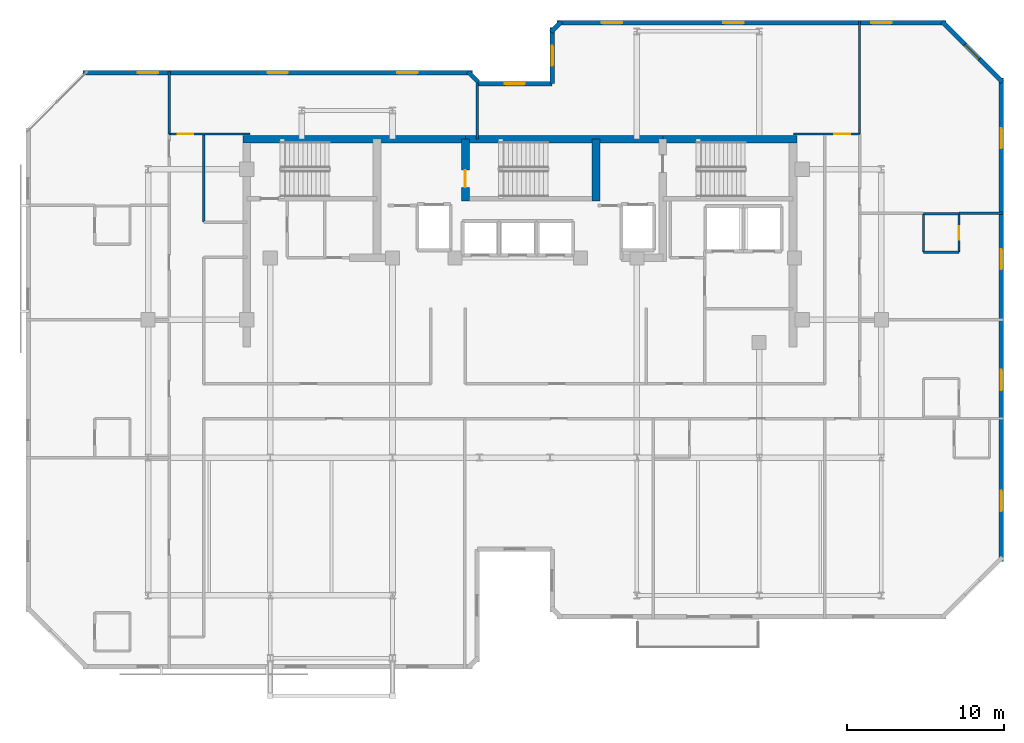
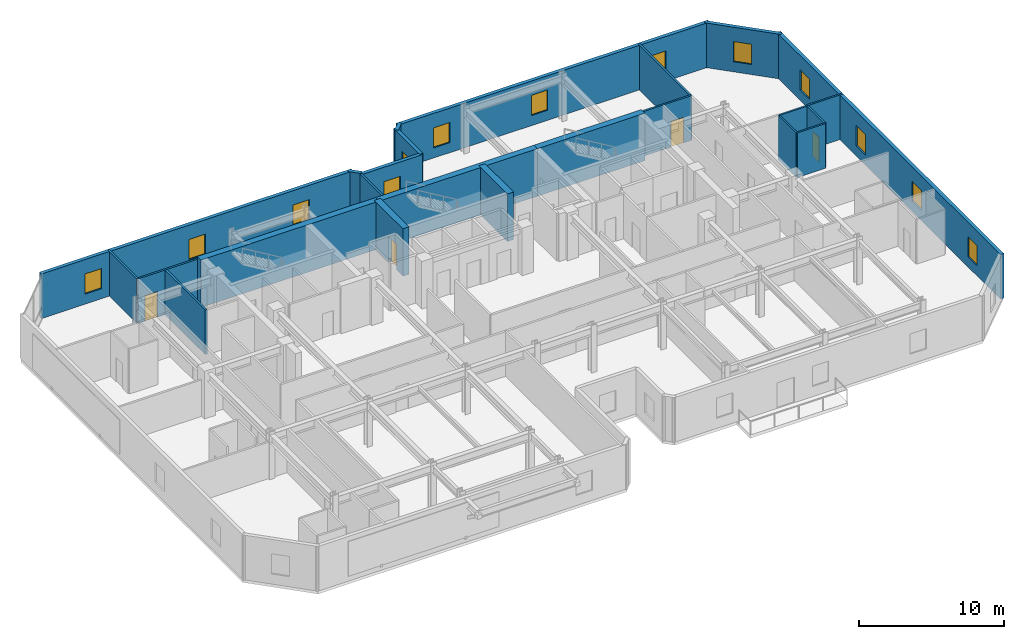
# One storey, part 7 of 10: 24 walls, 13 windows, 4 doors, 17 openings.
"""IFC4 building model written with IfcOpenShell, lengths in metres."""

from ifc_helpers import new_model, si_unit, direction, frame, frame_2d, origin, place, context, subcontext, project, spatial, rectangle, extrude, material, layer, layer_set, type_object, element, fill, save


model = new_model("IFC4")

# Units and contexts
model_context = context("Model", 3, precision=1e-05, world=origin(), true_north=direction((0.0, 1.0)))
body_context = subcontext(model_context, "Body", "Model", "MODEL_VIEW")
ifc_project = project(units=[si_unit("LENGTHUNIT", "METRE"), si_unit("AREAUNIT", "SQUARE_METRE"), si_unit("VOLUMEUNIT", "CUBIC_METRE"), si_unit("PLANEANGLEUNIT", "RADIAN"), si_unit("MASSUNIT", "GRAM", prefix="KILO")], contexts=[model_context])

# Site, building, storey
site_placement = place(None, origin())
site = spatial("IfcSite", under=ifc_project, at=site_placement, CompositionType="ELEMENT")
building_placement = place(site_placement, origin())
building = spatial("IfcBuilding", under=site, at=building_placement, Name="Kestravale Grand Hotel", CompositionType="ELEMENT")
storey_placement = place(building_placement, frame((0.0, 0.0, 269.39990234375)))
storey = spatial("IfcBuildingStorey", under=building, at=storey_placement, Name="L67", CompositionType="ELEMENT", Elevation=269.39990234375)

# Walls
ifc_material_1 = material(Name="Concrete f'c 50 MPa", Category="concrete")
ifc_layer_1 = layer(ifc_material_1, 0.5)
ifc_layer_set_1 = layer_set([ifc_layer_1], Name="EW-CORE-500")
wall_type_1 = type_object("IfcWallType", Name="EW-CORE-500", PredefinedType="SHEAR", material=ifc_layer_set_1)
wall_1_placement = place(storey_placement, frame((21.64990234375, 40.320068359375, 0.0), z_axis=(0.0, 0.0, 1.0), x_axis=(1.0, 0.0, 0.0)))
element("IfcWall", 1, at=wall_1_placement, inside=storey, type_object=wall_type_1, Name="L67 core shear wall N1", PredefinedType="SHEAR", context=body_context, shape_type="SweptSolid", body=[
    extrude(rectangle(XDim=14.2001953125, YDim=0.5, at=frame_2d((7.10009765625, 0.0))), origin(), (0.0, 0.0, 1.0), 4.0),
])
wall_2_placement = place(storey_placement, frame((35.85009765625, 40.320068359375, 0.0), z_axis=(0.0, 0.0, 1.0), x_axis=(1.0, 0.0, 0.0)))
element("IfcWall", 2, at=wall_2_placement, inside=storey, type_object=wall_type_1, Name="L67 core shear wall N2", PredefinedType="SHEAR", context=body_context, shape_type="SweptSolid", body=[
    extrude(rectangle(XDim=12.599853515625, YDim=0.5, at=frame_2d((6.2998046875, 0.0))), origin(), (0.0, 0.0, 1.0), 4.0),
])
wall_3_placement = place(storey_placement, frame((48.449951171875, 40.320068359375, 0.0), z_axis=(0.0, 0.0, 1.0), x_axis=(1.0, 0.0, 0.0)))
element("IfcWall", 3, at=wall_3_placement, inside=storey, type_object=wall_type_1, Name="L67 core shear wall N3", PredefinedType="SHEAR", context=body_context, shape_type="SweptSolid", body=[
    extrude(rectangle(XDim=8.570068359375, YDim=0.5, at=frame_2d((4.28515625, 0.0))), origin(), (0.0, 0.0, 1.0), 4.0),
])

# Wall, opening, door
wall_4_placement = place(storey_placement, frame((35.85009765625, 36.3701171875, 0.0), z_axis=(0.0, 0.0, 1.0), x_axis=(0.0, 1.0, 0.0)))
wall_4 = element("IfcWall", 4, at=wall_4_placement, inside=storey, type_object=wall_type_1, Name="L67 core shear wall X2", PredefinedType="SHEAR", context=body_context, shape_type="SweptSolid", body=[
    extrude(rectangle(XDim=3.949951171875, YDim=0.5, at=frame_2d((1.97509765625, 0.0))), origin(), (0.0, 0.0, 1.0), 4.0),
])
opening_1_placement = place(wall_4_placement, frame((0.8798828125, 0.0, 0.0)))
opening_1 = element("IfcOpeningElement", 5, at=opening_1_placement, cuts=wall_4, Name="Opening D-ST-1100", PredefinedType="OPENING", context=body_context, shape_type="SweptSolid", body=[
    extrude(rectangle(XDim=1.10009765625, YDim=2.14990234375, at=frame_2d((0.550048828125, 1.074951171875))), frame((0.0, 0.260009765625, 0.0), z_axis=(0.0, -1.0, 0.0), x_axis=(1.0, 0.0, 0.0)), (0.0, 0.0, 1.0), 0.52001953125),
])
ifc_material_2 = material(Name="Galvanised 90-minute fire-rated steel stair door", Category="steel")
door_type_1 = type_object("IfcDoorType", Name="D-ST-1100", OperationType="NOTDEFINED", PredefinedType="DOOR", material=ifc_material_2)
door_1_placement = place(opening_1_placement, origin())
door_1 = element("IfcDoor", 6, at=door_1_placement, inside=storey, type_object=door_type_1, Name="L67 Stair ST-2 FSAE fire door", OperationType="SINGLE_SWING_RIGHT", OverallHeight=2.14990234375, OverallWidth=1.10009765625, PredefinedType="DOOR", context=body_context, shape_type="SweptSolid", body=[
    extrude(rectangle(XDim=1.10009765625, YDim=2.14990234375, at=frame_2d((0.550048828125, 1.074951171875))), frame((0.0, 0.02490234375, 0.0), z_axis=(0.0, -1.0, 0.0), x_axis=(1.0, 0.0, 0.0)), (0.0, 0.0, 1.0), 0.050048828125),
])
fill(opening_1, door_1)

# Wall
wall_5_placement = place(storey_placement, frame((44.179931640625, 36.3701171875, 0.0), z_axis=(0.0, 0.0, 1.0), x_axis=(0.0, 1.0, 0.0)))
element("IfcWall", 7, at=wall_5_placement, inside=storey, type_object=wall_type_1, Name="L67 core shear wall X3", PredefinedType="SHEAR", context=body_context, shape_type="SweptSolid", body=[
    extrude(rectangle(XDim=3.949951171875, YDim=0.5, at=frame_2d((1.97509765625, 0.0))), origin(), (0.0, 0.0, 1.0), 4.0),
])

# Wall, openings, windows
ifc_material_3 = material(Name="Precast concrete f'c 45 MPa", Category="concrete")
ifc_layer_2 = layer(ifc_material_3, 0.280029296875)
ifc_layer_set_2 = layer_set([ifc_layer_2], Name="EW-PREC-280")
wall_type_2 = type_object("IfcWallType", Name="EW-PREC-280", PredefinedType="SOLIDWALL", material=ifc_layer_set_2)
wall_6_placement = place(storey_placement, frame((70.06005859375, 13.360107421875, 0.0), z_axis=(0.0, 0.0, 1.0), x_axis=(0.0, 1.0, 0.0)))
wall_6 = element("IfcWall", 8, at=wall_6_placement, inside=storey, type_object=wall_type_2, Name="L67 fluted precast facade wall 9", PredefinedType="SOLIDWALL", context=body_context, shape_type="SweptSolid", body=[
    extrude(rectangle(XDim=30.8798828125, YDim=0.280029296875, at=frame_2d((15.43994140625, 0.0))), origin(), (0.0, 0.0, 1.0), 3.760009765625),
])
opening_2_placement = place(wall_6_placement, frame((3.2099609375, 0.0, 0.85009765625)))
opening_2 = element("IfcOpeningElement", 9, at=opening_2_placement, cuts=wall_6, Name="Opening W-GUEST-1300", PredefinedType="OPENING", context=body_context, shape_type="SweptSolid", body=[
    extrude(rectangle(XDim=1.300048828125, YDim=1.699951171875, at=frame_2d((0.64990234375, 0.85009765625))), frame((0.0, 0.14990234375, 0.0), z_axis=(0.0, -1.0, 0.0), x_axis=(1.0, 0.0, 0.0)), (0.0, 0.0, 1.0), 0.300048828125),
])
opening_3_placement = place(wall_6_placement, frame((10.929931640625, 0.0, 0.85009765625)))
opening_3 = element("IfcOpeningElement", 10, at=opening_3_placement, cuts=wall_6, Name="Opening W-GUEST-1300", PredefinedType="OPENING", context=body_context, shape_type="SweptSolid", body=[
    extrude(rectangle(XDim=1.300048828125, YDim=1.699951171875, at=frame_2d((0.64990234375, 0.85009765625))), frame((0.0, 0.14990234375, 0.0), z_axis=(0.0, -1.0, 0.0), x_axis=(1.0, 0.0, 0.0)), (0.0, 0.0, 1.0), 0.300048828125),
])
opening_4_placement = place(wall_6_placement, frame((18.64990234375, 0.0, 0.85009765625)))
opening_4 = element("IfcOpeningElement", 11, at=opening_4_placement, cuts=wall_6, Name="Opening W-GUEST-1300", PredefinedType="OPENING", context=body_context, shape_type="SweptSolid", body=[
    extrude(rectangle(XDim=1.300048828125, YDim=1.699951171875, at=frame_2d((0.64990234375, 0.85009765625))), frame((0.0, 0.14990234375, 0.0), z_axis=(0.0, -1.0, 0.0), x_axis=(1.0, 0.0, 0.0)), (0.0, 0.0, 1.0), 0.300048828125),
])
opening_5_placement = place(wall_6_placement, frame((26.3701171875, 0.0, 0.85009765625)))
opening_5 = element("IfcOpeningElement", 12, at=opening_5_placement, cuts=wall_6, Name="Opening W-GUEST-1300", PredefinedType="OPENING", context=body_context, shape_type="SweptSolid", body=[
    extrude(rectangle(XDim=1.300048828125, YDim=1.699951171875, at=frame_2d((0.64990234375, 0.85009765625))), frame((0.0, 0.14990234375, 0.0), z_axis=(0.0, -1.0, 0.0), x_axis=(1.0, 0.0, 0.0)), (0.0, 0.0, 1.0), 0.300048828125),
])
ifc_material_4 = material(Name="Insulated low-E double glazing in aluminium frame", Category="aluminium")
window_type = type_object("IfcWindowType", Name="W-GUEST-1300", PartitioningType="SINGLE_PANEL", PredefinedType="WINDOW", material=ifc_material_4)
window_1_placement = place(opening_2_placement, origin())
window_1 = element("IfcWindow", 13, at=window_1_placement, inside=storey, type_object=window_type, Name="L67 exterior window 9.1", OverallHeight=1.699951171875, OverallWidth=1.300048828125, PartitioningType="SINGLE_PANEL", PredefinedType="WINDOW", context=body_context, shape_type="SweptSolid", body=[
    extrude(rectangle(XDim=1.300048828125, YDim=1.699951171875, at=frame_2d((0.64990234375, 0.85009765625))), frame((0.0, 0.030029296875, 0.0), z_axis=(0.0, -1.0, 0.0), x_axis=(1.0, 0.0, 0.0)), (0.0, 0.0, 1.0), 0.06005859375),
])
fill(opening_2, window_1)
window_2_placement = place(opening_3_placement, origin())
window_2 = element("IfcWindow", 14, at=window_2_placement, inside=storey, type_object=window_type, Name="L67 exterior window 9.2", OverallHeight=1.699951171875, OverallWidth=1.300048828125, PartitioningType="SINGLE_PANEL", PredefinedType="WINDOW", context=body_context, shape_type="SweptSolid", body=[
    extrude(rectangle(XDim=1.300048828125, YDim=1.699951171875, at=frame_2d((0.64990234375, 0.85009765625))), frame((0.0, 0.030029296875, 0.0), z_axis=(0.0, -1.0, 0.0), x_axis=(1.0, 0.0, 0.0)), (0.0, 0.0, 1.0), 0.06005859375),
])
fill(opening_3, window_2)
window_3_placement = place(opening_4_placement, origin())
window_3 = element("IfcWindow", 15, at=window_3_placement, inside=storey, type_object=window_type, Name="L67 exterior window 9.3", OverallHeight=1.699951171875, OverallWidth=1.300048828125, PartitioningType="SINGLE_PANEL", PredefinedType="WINDOW", context=body_context, shape_type="SweptSolid", body=[
    extrude(rectangle(XDim=1.300048828125, YDim=1.699951171875, at=frame_2d((0.64990234375, 0.85009765625))), frame((0.0, 0.030029296875, 0.0), z_axis=(0.0, -1.0, 0.0), x_axis=(1.0, 0.0, 0.0)), (0.0, 0.0, 1.0), 0.06005859375),
])
fill(opening_4, window_3)
window_4_placement = place(opening_5_placement, origin())
window_4 = element("IfcWindow", 16, at=window_4_placement, inside=storey, type_object=window_type, Name="L67 exterior window 9.4", OverallHeight=1.699951171875, OverallWidth=1.300048828125, PartitioningType="SINGLE_PANEL", PredefinedType="WINDOW", context=body_context, shape_type="SweptSolid", body=[
    extrude(rectangle(XDim=1.300048828125, YDim=1.699951171875, at=frame_2d((0.64990234375, 0.85009765625))), frame((0.0, 0.030029296875, 0.0), z_axis=(0.0, -1.0, 0.0), x_axis=(1.0, 0.0, 0.0)), (0.0, 0.0, 1.0), 0.06005859375),
])
fill(opening_5, window_4)

# Wall, opening, window
wall_7_placement = place(storey_placement, frame((70.12939453125, 43.97265625, 0.0), z_axis=(0.0, 0.0, 1.0), x_axis=(-0.707106781187, 0.707106781187, 0.0)))
wall_7 = element("IfcWall", 17, at=wall_7_placement, inside=storey, type_object=wall_type_2, Name="L67 fluted precast facade wall 10", PredefinedType="SOLIDWALL", context=body_context, shape_type="SweptSolid", body=[
    extrude(rectangle(XDim=5.4541015625, YDim=0.280029296875, at=frame_2d((2.72705078125, 0.0))), origin(), (0.0, 0.0, 1.0), 3.760009765625),
])
opening_6_placement = place(wall_7_placement, frame((2.076904296875, 0.0, 0.85009765625)))
opening_6 = element("IfcOpeningElement", 18, at=opening_6_placement, cuts=wall_7, Name="Opening W-GUEST-1300", PredefinedType="OPENING", context=body_context, shape_type="SweptSolid", body=[
    extrude(rectangle(XDim=1.300048828125, YDim=1.699951171875, at=frame_2d((0.64990234375, 0.85009765625))), frame((0.0, 0.14990234375, 0.0), z_axis=(0.0, -1.0, 0.0), x_axis=(1.0, 0.0, 0.0)), (0.0, 0.0, 1.0), 0.300048828125),
])
window_5_placement = place(opening_6_placement, origin())
window_5 = element("IfcWindow", 19, at=window_5_placement, inside=storey, type_object=window_type, Name="L67 exterior window 10.1", OverallHeight=1.699951171875, OverallWidth=1.300048828125, PartitioningType="SINGLE_PANEL", PredefinedType="WINDOW", context=body_context, shape_type="SweptSolid", body=[
    extrude(rectangle(XDim=1.300048828125, YDim=1.699951171875, at=frame_2d((0.64990234375, 0.85009765625))), frame((0.0, 0.030029296875, 0.0), z_axis=(0.0, -1.0, 0.0), x_axis=(1.0, 0.0, 0.0)), (0.0, 0.0, 1.0), 0.06005859375),
])
fill(opening_6, window_5)

# Wall, openings, windows
wall_8_placement = place(storey_placement, frame((66.5400390625, 47.760009765625, 0.0), z_axis=(0.0, 0.0, 1.0), x_axis=(-1.0, 0.0, 0.0)))
wall_8 = element("IfcWall", 20, at=wall_8_placement, inside=storey, type_object=wall_type_2, Name="L67 fluted precast facade wall 11", PredefinedType="SOLIDWALL", context=body_context, shape_type="SweptSolid", body=[
    extrude(rectangle(XDim=24.830078125, YDim=0.280029296875, at=frame_2d((12.4150390625, 0.0))), origin(), (0.0, 0.0, 1.0), 3.760009765625),
])
opening_7_placement = place(wall_8_placement, frame((3.48828125, 0.0, 0.85009765625)))
opening_7 = element("IfcOpeningElement", 21, at=opening_7_placement, cuts=wall_8, Name="Opening W-GUEST-1300", PredefinedType="OPENING", context=body_context, shape_type="SweptSolid", body=[
    extrude(rectangle(XDim=1.300048828125, YDim=1.699951171875, at=frame_2d((0.64990234375, 0.85009765625))), frame((0.0, 0.14990234375, 0.0), z_axis=(0.0, -1.0, 0.0), x_axis=(1.0, 0.0, 0.0)), (0.0, 0.0, 1.0), 0.300048828125),
])
opening_8_placement = place(wall_8_placement, frame((12.9150390625, 0.0, 0.85009765625)))
opening_8 = element("IfcOpeningElement", 22, at=opening_8_placement, cuts=wall_8, Name="Opening W-GUEST-1300", PredefinedType="OPENING", context=body_context, shape_type="SweptSolid", body=[
    extrude(rectangle(XDim=1.300048828125, YDim=1.699951171875, at=frame_2d((0.64990234375, 0.85009765625))), frame((0.0, 0.14990234375, 0.0), z_axis=(0.0, -1.0, 0.0), x_axis=(1.0, 0.0, 0.0)), (0.0, 0.0, 1.0), 0.300048828125),
])
opening_9_placement = place(wall_8_placement, frame((20.691650390625, 0.0, 0.85009765625)))
opening_9 = element("IfcOpeningElement", 23, at=opening_9_placement, cuts=wall_8, Name="Opening W-GUEST-1300", PredefinedType="OPENING", context=body_context, shape_type="SweptSolid", body=[
    extrude(rectangle(XDim=1.300048828125, YDim=1.699951171875, at=frame_2d((0.64990234375, 0.85009765625))), frame((0.0, 0.14990234375, 0.0), z_axis=(0.0, -1.0, 0.0), x_axis=(1.0, 0.0, 0.0)), (0.0, 0.0, 1.0), 0.300048828125),
])
window_6_placement = place(opening_7_placement, origin())
window_6 = element("IfcWindow", 24, at=window_6_placement, inside=storey, type_object=window_type, Name="L67 exterior window 11.1", OverallHeight=1.699951171875, OverallWidth=1.300048828125, PartitioningType="SINGLE_PANEL", PredefinedType="WINDOW", context=body_context, shape_type="SweptSolid", body=[
    extrude(rectangle(XDim=1.300048828125, YDim=1.699951171875, at=frame_2d((0.64990234375, 0.85009765625))), frame((0.0, 0.030029296875, 0.0), z_axis=(0.0, -1.0, 0.0), x_axis=(1.0, 0.0, 0.0)), (0.0, 0.0, 1.0), 0.06005859375),
])
fill(opening_7, window_6)
window_7_placement = place(opening_8_placement, origin())
window_7 = element("IfcWindow", 25, at=window_7_placement, inside=storey, type_object=window_type, Name="L67 exterior window 11.2", OverallHeight=1.699951171875, OverallWidth=1.300048828125, PartitioningType="SINGLE_PANEL", PredefinedType="WINDOW", context=body_context, shape_type="SweptSolid", body=[
    extrude(rectangle(XDim=1.300048828125, YDim=1.699951171875, at=frame_2d((0.64990234375, 0.85009765625))), frame((0.0, 0.030029296875, 0.0), z_axis=(0.0, -1.0, 0.0), x_axis=(1.0, 0.0, 0.0)), (0.0, 0.0, 1.0), 0.06005859375),
])
fill(opening_8, window_7)
window_8_placement = place(opening_9_placement, origin())
window_8 = element("IfcWindow", 26, at=window_8_placement, inside=storey, type_object=window_type, Name="L67 exterior window 11.3", OverallHeight=1.699951171875, OverallWidth=1.300048828125, PartitioningType="SINGLE_PANEL", PredefinedType="WINDOW", context=body_context, shape_type="SweptSolid", body=[
    extrude(rectangle(XDim=1.300048828125, YDim=1.699951171875, at=frame_2d((0.64990234375, 0.85009765625))), frame((0.0, 0.030029296875, 0.0), z_axis=(0.0, -1.0, 0.0), x_axis=(1.0, 0.0, 0.0)), (0.0, 0.0, 1.0), 0.06005859375),
])
fill(opening_9, window_8)

# Wall
wall_9_placement = place(storey_placement, frame((41.977294921875, 47.829345703125, 0.0), z_axis=(0.0, 0.0, 1.0), x_axis=(-0.706975312048, -0.707238225886, 0.0)))
element("IfcWall", 27, at=wall_9_placement, inside=storey, type_object=wall_type_2, Name="L67 fluted precast facade wall 12", PredefinedType="SOLIDWALL", context=body_context, shape_type="SweptSolid", body=[
    extrude(rectangle(XDim=0.9287109375, YDim=0.280029296875, at=frame_2d((0.46435546875, 0.0))), origin(), (0.0, 0.0, 1.0), 3.760009765625),
])

# Wall, opening, window
wall_10_placement = place(storey_placement, frame((41.389892578125, 47.43994140625, 0.0), z_axis=(0.0, 0.0, 1.0), x_axis=(0.0, -1.0, 0.0)))
wall_10 = element("IfcWall", 28, at=wall_10_placement, inside=storey, type_object=wall_type_2, Name="L67 fluted precast facade wall 13", PredefinedType="SOLIDWALL", context=body_context, shape_type="SweptSolid", body=[
    extrude(rectangle(XDim=3.579833984375, YDim=0.280029296875, at=frame_2d((1.7900390625, 0.0))), origin(), (0.0, 0.0, 1.0), 3.760009765625),
])
opening_10_placement = place(wall_10_placement, frame((1.139892578125, 0.0, 0.85009765625)))
opening_10 = element("IfcOpeningElement", 29, at=opening_10_placement, cuts=wall_10, Name="Opening W-GUEST-1300", PredefinedType="OPENING", context=body_context, shape_type="SweptSolid", body=[
    extrude(rectangle(XDim=1.300048828125, YDim=1.699951171875, at=frame_2d((0.64990234375, 0.85009765625))), frame((0.0, 0.14990234375, 0.0), z_axis=(0.0, -1.0, 0.0), x_axis=(1.0, 0.0, 0.0)), (0.0, 0.0, 1.0), 0.300048828125),
])
window_9_placement = place(opening_10_placement, origin())
window_9 = element("IfcWindow", 30, at=window_9_placement, inside=storey, type_object=window_type, Name="L67 exterior window 13.1", OverallHeight=1.699951171875, OverallWidth=1.300048828125, PartitioningType="SINGLE_PANEL", PredefinedType="WINDOW", context=body_context, shape_type="SweptSolid", body=[
    extrude(rectangle(XDim=1.300048828125, YDim=1.699951171875, at=frame_2d((0.64990234375, 0.85009765625))), frame((0.0, 0.030029296875, 0.0), z_axis=(0.0, -1.0, 0.0), x_axis=(1.0, 0.0, 0.0)), (0.0, 0.0, 1.0), 0.06005859375),
])
fill(opening_10, window_9)

wall_11_placement = place(storey_placement, frame((41.389892578125, 43.860107421875, 0.0), z_axis=(0.0, 0.0, 1.0), x_axis=(-1.0, 0.0, 0.0)))
wall_11 = element("IfcWall", 31, at=wall_11_placement, inside=storey, type_object=wall_type_2, Name="L67 fluted precast facade wall 14", PredefinedType="SOLIDWALL", context=body_context, shape_type="SweptSolid", body=[
    extrude(rectangle(XDim=4.77978515625, YDim=0.280029296875, at=frame_2d((2.389892578125, 0.0))), origin(), (0.0, 0.0, 1.0), 3.760009765625),
])
opening_11_placement = place(wall_11_placement, frame((1.739990234375, 0.0, 0.85009765625)))
opening_11 = element("IfcOpeningElement", 32, at=opening_11_placement, cuts=wall_11, Name="Opening W-GUEST-1300", PredefinedType="OPENING", context=body_context, shape_type="SweptSolid", body=[
    extrude(rectangle(XDim=1.300048828125, YDim=1.699951171875, at=frame_2d((0.64990234375, 0.85009765625))), frame((0.0, 0.14990234375, 0.0), z_axis=(0.0, -1.0, 0.0), x_axis=(1.0, 0.0, 0.0)), (0.0, 0.0, 1.0), 0.300048828125),
])
window_10_placement = place(opening_11_placement, origin())
window_10 = element("IfcWindow", 33, at=window_10_placement, inside=storey, type_object=window_type, Name="L67 exterior window 14.1", OverallHeight=1.699951171875, OverallWidth=1.300048828125, PartitioningType="SINGLE_PANEL", PredefinedType="WINDOW", context=body_context, shape_type="SweptSolid", body=[
    extrude(rectangle(XDim=1.300048828125, YDim=1.699951171875, at=frame_2d((0.64990234375, 0.85009765625))), frame((0.0, 0.030029296875, 0.0), z_axis=(0.0, -1.0, 0.0), x_axis=(1.0, 0.0, 0.0)), (0.0, 0.0, 1.0), 0.06005859375),
])
fill(opening_11, window_10)

# Wall
wall_12_placement = place(storey_placement, frame((36.67919921875, 43.97265625, 0.0), z_axis=(0.0, 0.0, 1.0), x_axis=(-0.706975312048, 0.707238225886, 0.0)))
element("IfcWall", 34, at=wall_12_placement, inside=storey, type_object=wall_type_2, Name="L67 fluted precast facade wall 16", PredefinedType="SOLIDWALL", context=body_context, shape_type="SweptSolid", body=[
    extrude(rectangle(XDim=0.9287109375, YDim=0.280029296875, at=frame_2d((0.46435546875, 0.0))), origin(), (0.0, 0.0, 1.0), 3.760009765625),
])

# Wall, openings, windows
wall_13_placement = place(storey_placement, frame((36.2900390625, 44.56005859375, 0.0), z_axis=(0.0, 0.0, 1.0), x_axis=(-1.0, 0.0, 0.0)))
wall_13 = element("IfcWall", 35, at=wall_13_placement, inside=storey, type_object=wall_type_2, Name="L67 fluted precast facade wall 17", PredefinedType="SOLIDWALL", context=body_context, shape_type="SweptSolid", body=[
    extrude(rectangle(XDim=24.830078125, YDim=0.280029296875, at=frame_2d((12.4150390625, 0.0))), origin(), (0.0, 0.0, 1.0), 3.760009765625),
])
opening_12_placement = place(wall_13_placement, frame((3.48828125, 0.0, 0.85009765625)))
opening_12 = element("IfcOpeningElement", 36, at=opening_12_placement, cuts=wall_13, Name="Opening W-GUEST-1300", PredefinedType="OPENING", context=body_context, shape_type="SweptSolid", body=[
    extrude(rectangle(XDim=1.300048828125, YDim=1.699951171875, at=frame_2d((0.64990234375, 0.85009765625))), frame((0.0, 0.14990234375, 0.0), z_axis=(0.0, -1.0, 0.0), x_axis=(1.0, 0.0, 0.0)), (0.0, 0.0, 1.0), 0.300048828125),
])
opening_13_placement = place(wall_13_placement, frame((11.764892578125, 0.0, 0.85009765625)))
opening_13 = element("IfcOpeningElement", 37, at=opening_13_placement, cuts=wall_13, Name="Opening W-GUEST-1300", PredefinedType="OPENING", context=body_context, shape_type="SweptSolid", body=[
    extrude(rectangle(XDim=1.300048828125, YDim=1.699951171875, at=frame_2d((0.64990234375, 0.85009765625))), frame((0.0, 0.14990234375, 0.0), z_axis=(0.0, -1.0, 0.0), x_axis=(1.0, 0.0, 0.0)), (0.0, 0.0, 1.0), 0.300048828125),
])
opening_14_placement = place(wall_13_placement, frame((20.041748046875, 0.0, 0.85009765625)))
opening_14 = element("IfcOpeningElement", 38, at=opening_14_placement, cuts=wall_13, Name="Opening W-GUEST-1300", PredefinedType="OPENING", context=body_context, shape_type="SweptSolid", body=[
    extrude(rectangle(XDim=1.300048828125, YDim=1.699951171875, at=frame_2d((0.64990234375, 0.85009765625))), frame((0.0, 0.14990234375, 0.0), z_axis=(0.0, -1.0, 0.0), x_axis=(1.0, 0.0, 0.0)), (0.0, 0.0, 1.0), 0.300048828125),
])
window_11_placement = place(opening_12_placement, origin())
window_11 = element("IfcWindow", 39, at=window_11_placement, inside=storey, type_object=window_type, Name="L67 exterior window 17.1", OverallHeight=1.699951171875, OverallWidth=1.300048828125, PartitioningType="SINGLE_PANEL", PredefinedType="WINDOW", context=body_context, shape_type="SweptSolid", body=[
    extrude(rectangle(XDim=1.300048828125, YDim=1.699951171875, at=frame_2d((0.64990234375, 0.85009765625))), frame((0.0, 0.030029296875, 0.0), z_axis=(0.0, -1.0, 0.0), x_axis=(1.0, 0.0, 0.0)), (0.0, 0.0, 1.0), 0.06005859375),
])
fill(opening_12, window_11)
window_12_placement = place(opening_13_placement, origin())
window_12 = element("IfcWindow", 40, at=window_12_placement, inside=storey, type_object=window_type, Name="L67 exterior window 17.2", OverallHeight=1.699951171875, OverallWidth=1.300048828125, PartitioningType="SINGLE_PANEL", PredefinedType="WINDOW", context=body_context, shape_type="SweptSolid", body=[
    extrude(rectangle(XDim=1.300048828125, YDim=1.699951171875, at=frame_2d((0.64990234375, 0.85009765625))), frame((0.0, 0.030029296875, 0.0), z_axis=(0.0, -1.0, 0.0), x_axis=(1.0, 0.0, 0.0)), (0.0, 0.0, 1.0), 0.06005859375),
])
fill(opening_13, window_12)
window_13_placement = place(opening_14_placement, origin())
window_13 = element("IfcWindow", 41, at=window_13_placement, inside=storey, type_object=window_type, Name="L67 exterior window 17.3", OverallHeight=1.699951171875, OverallWidth=1.300048828125, PartitioningType="SINGLE_PANEL", PredefinedType="WINDOW", context=body_context, shape_type="SweptSolid", body=[
    extrude(rectangle(XDim=1.300048828125, YDim=1.699951171875, at=frame_2d((0.64990234375, 0.85009765625))), frame((0.0, 0.030029296875, 0.0), z_axis=(0.0, -1.0, 0.0), x_axis=(1.0, 0.0, 0.0)), (0.0, 0.0, 1.0), 0.06005859375),
])
fill(opening_14, window_13)

# Walls
ifc_material_5 = material(Name="Acoustic fire-rated gypsum board partition", Category="other")
ifc_layer_3 = layer(ifc_material_5, 0.159912109375)
ifc_layer_set_3 = layer_set([ifc_layer_3], Name="IW-CORR-160")
wall_type_3 = type_object("IfcWallType", Name="IW-CORR-160", PredefinedType="PARTITIONING", material=ifc_layer_set_3)
wall_14_placement = place(storey_placement, frame((19.159912109375, 35.02001953125, 0.0), z_axis=(0.0, 0.0, 1.0), x_axis=(0.0, 1.0, 0.0)))
element("IfcWall", 42, at=wall_14_placement, inside=storey, type_object=wall_type_3, Name="W-L67-SW-EN", PredefinedType="PARTITIONING", context=body_context, shape_type="SweptSolid", body=[
    extrude(rectangle(XDim=5.6298828125, YDim=0.159912109375, at=frame_2d((2.81494140625, 0.0))), origin(), (0.0, 0.0, 1.0), 3.760009765625),
])
ifc_material_6 = material(Name="Moisture-resistant tile-backer plumbing chase wall", Category="other")
ifc_layer_4 = layer(ifc_material_6, 0.139892578125)
ifc_layer_set_4 = layer_set([ifc_layer_4], Name="IW-PLB-140")
wall_type_4 = type_object("IfcWallType", Name="IW-PLB-140", PredefinedType="PLUMBINGWALL", material=ifc_layer_set_4)
wall_15_placement = place(storey_placement, frame((65.10009765625, 33.110107421875, 0.0), z_axis=(0.0, 0.0, 1.0), x_axis=(0.0, 1.0, 0.0)))
element("IfcWall", 43, at=wall_15_placement, inside=storey, type_object=wall_type_4, Name="W-L67-U07-BW", PredefinedType="PLUMBINGWALL", context=body_context, shape_type="SweptSolid", body=[
    extrude(rectangle(XDim=2.449951171875, YDim=0.139892578125, at=frame_2d((1.22509765625, 0.0))), origin(), (0.0, 0.0, 1.0), 3.760009765625),
])

# Wall, opening, door
wall_16_placement = place(storey_placement, frame((67.35009765625, 33.110107421875, 0.0), z_axis=(0.0, 0.0, 1.0), x_axis=(0.0, 1.0, 0.0)))
wall_16 = element("IfcWall", 44, at=wall_16_placement, inside=storey, type_object=wall_type_4, Name="W-L67-U07-BE", PredefinedType="PLUMBINGWALL", context=body_context, shape_type="SweptSolid", body=[
    extrude(rectangle(XDim=2.449951171875, YDim=0.139892578125, at=frame_2d((1.22509765625, 0.0))), origin(), (0.0, 0.0, 1.0), 3.760009765625),
])
opening_15_placement = place(wall_16_placement, frame((0.784912109375, 0.0, 0.0)))
opening_15 = element("IfcOpeningElement", 45, at=opening_15_placement, cuts=wall_16, Name="Opening D-BATH-880", PredefinedType="OPENING", context=body_context, shape_type="SweptSolid", body=[
    extrude(rectangle(XDim=0.8798828125, YDim=2.050048828125, at=frame_2d((0.43994140625, 1.02490234375))), frame((0.0, 0.079833984375, 0.0), z_axis=(0.0, -1.0, 0.0), x_axis=(1.0, 0.0, 0.0)), (0.0, 0.0, 1.0), 0.159912109375),
])
ifc_material_7 = material(Name="Moisture-sealed walnut en-suite bathroom door", Category="wood")
door_type_2 = type_object("IfcDoorType", Name="D-BATH-880", OperationType="NOTDEFINED", PredefinedType="DOOR", material=ifc_material_7)
door_2_placement = place(opening_15_placement, origin())
door_2 = element("IfcDoor", 46, at=door_2_placement, inside=storey, type_object=door_type_2, Name="D-L67-U07-BATH", OperationType="SINGLE_SWING_LEFT", OverallHeight=2.050048828125, OverallWidth=0.8798828125, PredefinedType="DOOR", context=body_context, shape_type="SweptSolid", body=[
    extrude(rectangle(XDim=0.8798828125, YDim=2.050048828125, at=frame_2d((0.43994140625, 1.02490234375))), frame((0.0, 0.02490234375, 0.0), z_axis=(0.0, -1.0, 0.0), x_axis=(1.0, 0.0, 0.0)), (0.0, 0.0, 1.0), 0.050048828125),
])
fill(opening_15, door_2)

# Walls
for number, where, z_axis, x_axis, name in (
    (47, (65.10009765625, 33.110107421875, 0.0), (0.0, 0.0, 1.0), (1.0, 0.0, 0.0), "W-L67-U07-BS"),
    (48, (65.10009765625, 35.56005859375, 0.0), (0.0, 0.0, 1.0), (1.0, 0.0, 0.0), "W-L67-U07-BN"),
):
    element("IfcWall", number, at=place(storey_placement, frame(where, z_axis=z_axis, x_axis=x_axis)), inside=storey, type_object=wall_type_4, Name=name, PredefinedType="PLUMBINGWALL", context=body_context, shape_type="SweptSolid", body=[
        extrude(rectangle(XDim=2.25, YDim=0.139892578125, at=frame_2d((1.125, 0.0))), origin(), (0.0, 0.0, 1.0), 3.760009765625),
    ])

# Wall, opening, door
ifc_material_8 = material(Name="Double-stud STC 52 acoustic demising partition", Category="other")
ifc_layer_5 = layer(ifc_material_8, 0.14990234375)
ifc_layer_set_5 = layer_set([ifc_layer_5], Name="IW-UNIT-150")
wall_type_5 = type_object("IfcWallType", Name="IW-UNIT-150", PredefinedType="PARTITIONING", material=ifc_layer_set_5)
wall_17_placement = place(storey_placement, frame((16.93994140625, 40.64990234375, 0.0), z_axis=(0.0, 0.0, 1.0), x_axis=(1.0, 0.0, 0.0)))
wall_17 = element("IfcWall", 49, at=wall_17_placement, inside=storey, type_object=wall_type_5, Name="W-L67-SW-N", PredefinedType="PARTITIONING", context=body_context, shape_type="SweptSolid", body=[
    extrude(rectangle(XDim=5.16015625, YDim=0.14990234375, at=frame_2d((2.580078125, 0.0))), origin(), (0.0, 0.0, 1.0), 3.760009765625),
])
opening_16_placement = place(wall_17_placement, frame((0.550048828125, 0.0, 0.0)))
opening_16 = element("IfcOpeningElement", 50, at=opening_16_placement, cuts=wall_17, Name="Opening D-GUEST-1000", PredefinedType="OPENING", context=body_context, shape_type="SweptSolid", body=[
    extrude(rectangle(XDim=1.0, YDim=2.14990234375, at=frame_2d((0.5, 1.074951171875))), frame((0.0, 0.0849609375, 0.0), z_axis=(0.0, -1.0, 0.0), x_axis=(1.0, 0.0, 0.0)), (0.0, 0.0, 1.0), 0.169921875),
])
ifc_material_9 = material(Name="Accessible walnut veneer hotel entrance fire door", Category="wood")
door_type_3 = type_object("IfcDoorType", Name="D-GUEST-1000", OperationType="NOTDEFINED", PredefinedType="DOOR", material=ifc_material_9)
door_3_placement = place(opening_16_placement, origin())
door_3 = element("IfcDoor", 51, at=door_3_placement, inside=storey, type_object=door_type_3, Name="L67 NW Gallery Door", OperationType="SINGLE_SWING_RIGHT", OverallHeight=2.14990234375, OverallWidth=1.0, PredefinedType="DOOR", context=body_context, shape_type="SweptSolid", body=[
    extrude(rectangle(XDim=1.0, YDim=2.14990234375, at=frame_2d((0.5, 1.074951171875))), frame((0.0, 0.02490234375, 0.0), z_axis=(0.0, -1.0, 0.0), x_axis=(1.0, 0.0, 0.0)), (0.0, 0.0, 1.0), 0.050048828125),
])
fill(opening_16, door_3)

wall_18_placement = place(storey_placement, frame((56.800048828125, 40.64990234375, 0.0), z_axis=(0.0, 0.0, 1.0), x_axis=(1.0, 0.0, 0.0)))
wall_18 = element("IfcWall", 52, at=wall_18_placement, inside=storey, type_object=wall_type_5, Name="W-L67-SE-N", PredefinedType="PARTITIONING", context=body_context, shape_type="SweptSolid", body=[
    extrude(rectangle(XDim=4.2099609375, YDim=0.14990234375, at=frame_2d((2.10498046875, 0.0))), origin(), (0.0, 0.0, 1.0), 3.760009765625),
])
opening_17_placement = place(wall_18_placement, frame((2.60009765625, 0.0, 0.0)))
opening_17 = element("IfcOpeningElement", 53, at=opening_17_placement, cuts=wall_18, Name="Opening D-GUEST-1000", PredefinedType="OPENING", context=body_context, shape_type="SweptSolid", body=[
    extrude(rectangle(XDim=1.0, YDim=2.14990234375, at=frame_2d((0.5, 1.074951171875))), frame((0.0, 0.0849609375, 0.0), z_axis=(0.0, -1.0, 0.0), x_axis=(1.0, 0.0, 0.0)), (0.0, 0.0, 1.0), 0.169921875),
])
door_4_placement = place(opening_17_placement, origin())
door_4 = element("IfcDoor", 54, at=door_4_placement, inside=storey, type_object=door_type_3, Name="L67 NE Gallery Door", OperationType="SINGLE_SWING_LEFT", OverallHeight=2.14990234375, OverallWidth=1.0, PredefinedType="DOOR", context=body_context, shape_type="SweptSolid", body=[
    extrude(rectangle(XDim=1.0, YDim=2.14990234375, at=frame_2d((0.5, 1.074951171875))), frame((0.0, 0.02490234375, 0.0), z_axis=(0.0, -1.0, 0.0), x_axis=(1.0, 0.0, 0.0)), (0.0, 0.0, 1.0), 0.050048828125),
])
fill(opening_17, door_4)

# Walls
wall_19_placement = place(storey_placement, frame((16.93994140625, 40.64990234375, 0.0), z_axis=(0.0, 0.0, 1.0), x_axis=(0.0, 1.0, 0.0)))
element("IfcWall", 55, at=wall_19_placement, inside=storey, type_object=wall_type_5, Name="W-L67-NGW-W", PredefinedType="PARTITIONING", context=body_context, shape_type="SweptSolid", body=[
    extrude(rectangle(XDim=4.030029296875, YDim=0.14990234375, at=frame_2d((2.01513671875, 0.0))), origin(), (0.0, 0.0, 1.0), 3.760009765625),
])
wall_20_placement = place(storey_placement, frame((36.60009765625, 40.320068359375, 0.0), z_axis=(0.0, 0.0, 1.0), x_axis=(0.0, 1.0, 0.0)))
element("IfcWall", 56, at=wall_20_placement, inside=storey, type_object=wall_type_5, Name="W-L67-NGM", PredefinedType="PARTITIONING", context=body_context, shape_type="SweptSolid", body=[
    extrude(rectangle(XDim=3.544921875, YDim=0.14990234375, at=frame_2d((1.7724609375, 0.0))), origin(), (0.0, 0.0, 1.0), 3.760009765625),
])
wall_21_placement = place(storey_placement, frame((61.010009765625, 40.64990234375, 0.0), z_axis=(0.0, 0.0, 1.0), x_axis=(0.0, 1.0, 0.0)))
element("IfcWall", 57, at=wall_21_placement, inside=storey, type_object=wall_type_5, Name="W-L67-NGE-E", PredefinedType="PARTITIONING", context=body_context, shape_type="SweptSolid", body=[
    extrude(rectangle(XDim=7.22998046875, YDim=0.14990234375, at=frame_2d((3.614990234375, 0.0))), origin(), (0.0, 0.0, 1.0), 3.760009765625),
])
wall_22_placement = place(storey_placement, frame((67.35009765625, 35.60009765625, 0.0), z_axis=(0.0, 0.0, 1.0), x_axis=(1.0, 0.0, 0.0)))
element("IfcWall", 58, at=wall_22_placement, inside=storey, type_object=wall_type_5, Name="W-L67-EW-2", PredefinedType="PARTITIONING", context=body_context, shape_type="SweptSolid", body=[
    extrude(rectangle(XDim=2.829833984375, YDim=0.14990234375, at=frame_2d((1.4150390625, 0.0))), origin(), (0.0, 0.0, 1.0), 3.760009765625),
])

save(model, "model.ifc")
